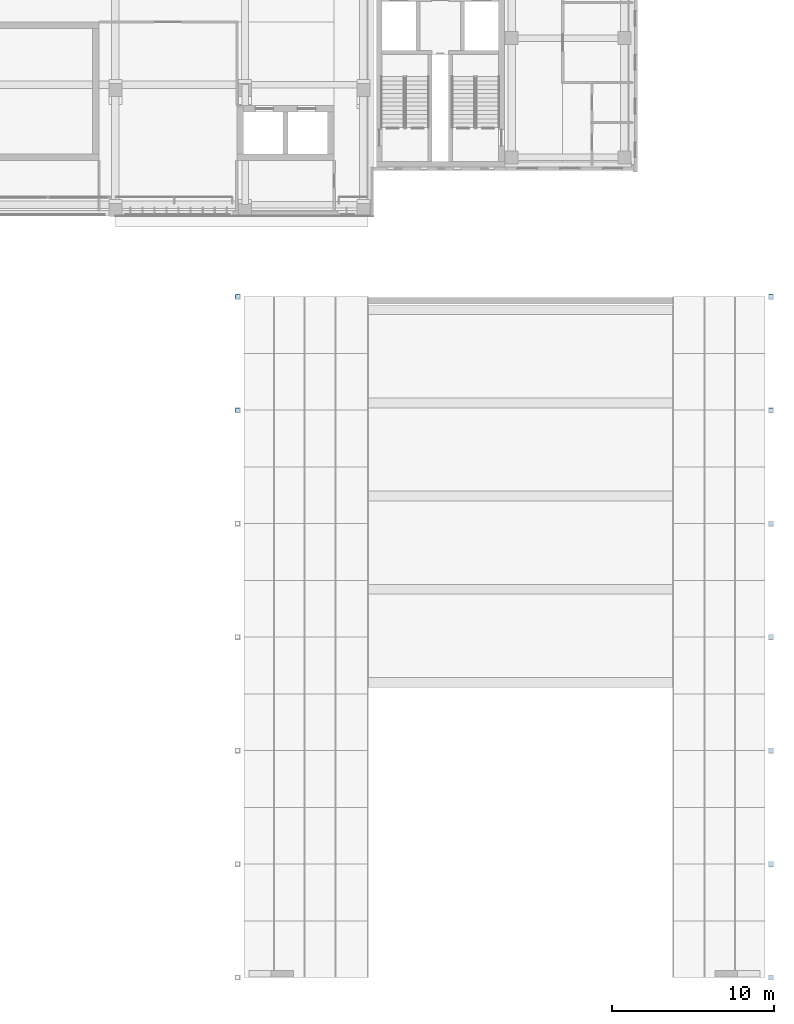
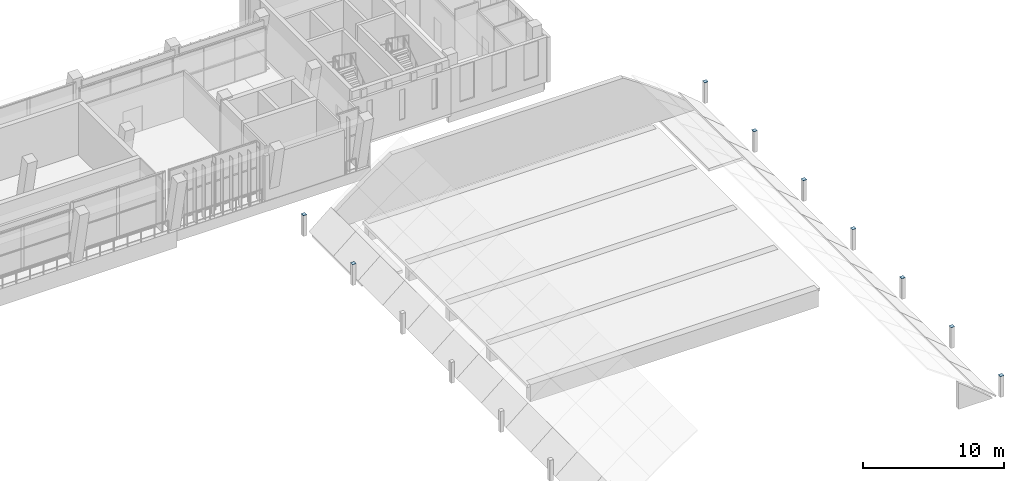
# One storey, part 56 of 89: 9 plates.
"""IFC4 building model written with IfcOpenShell, lengths in metres."""

import ifcopenshell
import ifcopenshell.guid

model = None  # the IFC model being written
_history = None  # IfcOwnerHistory: only IFC2X3 demands one
_inside = {}  # id of a spatial element -> (the spatial element, [elements in it])
_under = {}  # id of a project, library or spatial element -> (it, [spatial elements below it])
_declared = {}  # id of a project -> (the project, [libraries it declares])
_typed = {}  # id of a type object -> (the type object, [elements of that type])
_made_of = {}  # id of a material, layer set ... -> (it, [elements and type objects made of it])


def new_model(schema):
    """Start an empty IFC model of exactly this schema.

    Asked for "IFC4X3", IfcOpenShell would pick the latest addendum, in which some entities
    have other attributes; the version numbers below select the first issue.
    IFC2X3 requires an IfcOwnerHistory on every rooted entity: one is made here for all.
    """
    global model, _history
    if schema == "IFC4X3":
        model = ifcopenshell.file(schema_version=(4, 3, 0, 0))
    else:
        model = ifcopenshell.file(schema=schema)
    _inside.clear()
    _under.clear()
    _declared.clear()
    _typed.clear()
    _made_of.clear()
    _history = None
    if model.schema == "IFC2X3":
        org = make("IfcOrganization", Name="unknown")
        user = make(
            "IfcPersonAndOrganization",
            ThePerson=make("IfcPerson", FamilyName="unknown"),
            TheOrganization=org,
        )
        app = make(
            "IfcApplication",
            ApplicationDeveloper=org,
            Version="unknown",
            ApplicationFullName="unknown",
            ApplicationIdentifier="unknown",
        )
        _history = make(
            "IfcOwnerHistory",
            OwningUser=user,
            OwningApplication=app,
            ChangeAction="ADDED",
            CreationDate=0,
        )
    return model


def make(cls, **values):
    """One entity of the class cls with the attributes given. An attribute that is None is left unset."""
    return model.create_entity(
        cls, **{name: value for name, value in values.items() if value is not None}
    )


def rooted(cls, **values):
    """An entity with a GlobalId (a new one), such as an element, a storey or a relation."""
    return make(cls, GlobalId=ifcopenshell.guid.new(), OwnerHistory=_history, **values)


def si_unit(unit_type, name, prefix=None):
    """IfcSIUnit, for example si_unit("LENGTHUNIT", "METRE", prefix="MILLI")."""
    return make("IfcSIUnit", UnitType=unit_type, Prefix=prefix, Name=name)


def assignment(units):
    """IfcUnitAssignment: the units of a project."""
    return None if units is None else make("IfcUnitAssignment", Units=units)


def point(xyz):
    """IfcCartesianPoint."""
    return None if xyz is None else make("IfcCartesianPoint", Coordinates=xyz)


def direction(xyz):
    """IfcDirection."""
    return None if xyz is None else make("IfcDirection", DirectionRatios=xyz)


def frame(location, z_axis=None, x_axis=None):
    """IfcAxis2Placement3D, a coordinate frame: its origin and axes. An axis left out is left unset."""
    return make(
        "IfcAxis2Placement3D",
        Location=point(location),
        Axis=direction(z_axis),
        RefDirection=direction(x_axis),
    )


def frame_2d(location, x_axis=None):
    """IfcAxis2Placement2D, a coordinate frame in the plane: its origin and x axis."""
    return make(
        "IfcAxis2Placement2D", Location=point(location), RefDirection=direction(x_axis)
    )


def origin():
    """The frame at (0, 0, 0) with its axes left unset."""
    return frame((0.0, 0.0, 0.0))


def origin_2d():
    """The frame at (0, 0) in the plane with its x axis left unset."""
    return frame_2d((0.0, 0.0))


def place(relative_to, where):
    """IfcLocalPlacement: puts the frame where relative to a parent placement (None: the world)."""
    return make(
        "IfcLocalPlacement", PlacementRelTo=relative_to, RelativePlacement=where
    )


def context(
    kind, dimensions, precision=None, world=None, true_north=None, identifier=None
):
    """IfcGeometricRepresentationContext, for example the 3D "Model" context."""
    return make(
        "IfcGeometricRepresentationContext",
        ContextIdentifier=identifier,
        ContextType=kind,
        CoordinateSpaceDimension=dimensions,
        Precision=precision,
        WorldCoordinateSystem=world,
        TrueNorth=true_north,
    )


def subcontext(parent, identifier, kind, view, scale=None):
    """IfcGeometricRepresentationSubContext, for example "Body" below "Model"."""
    return make(
        "IfcGeometricRepresentationSubContext",
        ContextIdentifier=identifier,
        ContextType=kind,
        ParentContext=parent,
        TargetScale=scale,
        TargetView=view,
    )


def project(units=None, contexts=None):
    """IfcProject with its units and contexts."""
    return rooted(
        "IfcProject",
        Name="project",
        RepresentationContexts=contexts,
        UnitsInContext=assignment(units),
    )


def spatial(cls, under=None, at=None, **own):
    """A site, building, storey or space (cls), placed at a placement, below another one or the project."""
    s = rooted(cls, ObjectPlacement=at, **own)
    if under is not None:
        _under.setdefault(under.id(), (under, []))[1].append(s)
    return s


def profile(cls, at=None, kind="AREA", **sizes):
    """A parametric profile (cls). Its sizes go by their IFC names, for example OverallWidth=200.0."""
    return make(cls, ProfileType=kind, Position=at, **sizes)


def rectangle(**sizes):
    """IfcRectangleProfileDef."""
    return profile("IfcRectangleProfileDef", **sizes)


def extrude(swept, where, along, depth):
    """IfcExtrudedAreaSolid: the profile swept, set in the frame where, extruded along a direction by depth."""
    return make(
        "IfcExtrudedAreaSolid",
        SweptArea=swept,
        Position=where,
        ExtrudedDirection=direction(along),
        Depth=depth,
    )


def shape(context_of_items, identifier, shape_type, items):
    """IfcShapeRepresentation: the items that make up one representation, for example the "Body"."""
    return make(
        "IfcShapeRepresentation",
        ContextOfItems=context_of_items,
        RepresentationIdentifier=identifier,
        RepresentationType=shape_type,
        Items=items,
    )


def material(Name=None, Category=None):
    """IfcMaterial."""
    return make("IfcMaterial", Name=Name, Category=Category)


def layer(
    of_material, thickness, ventilated=None, Name=None, Category=None, Priority=None
):
    """IfcMaterialLayer: one layer of a wall or slab, of a material (None: an air gap)."""
    return make(
        "IfcMaterialLayer",
        Material=of_material,
        LayerThickness=thickness,
        IsVentilated=ventilated,
        Name=Name,
        Category=Category,
        Priority=Priority,
    )


def layer_set(layers, Name=None):
    """IfcMaterialLayerSet."""
    return make("IfcMaterialLayerSet", MaterialLayers=layers, LayerSetName=Name)


def made_of(thing, what):
    """Note that an element or type object is made of a material, layer set ...; save() writes the relation."""
    if what is not None:
        _made_of.setdefault(what.id(), (what, []))[1].append(thing)
    return thing


def type_object(cls, material=None, **own):
    """A type object (cls), such as IfcWallType, which elements share."""
    return made_of(rooted(cls, **own), material)


def element(
    cls,
    number,
    at=None,
    inside=None,
    cuts=None,
    type_object=None,
    material=None,
    context=None,
    identifier="Body",
    shape_type=None,
    held_by="IfcProductDefinitionShape",
    body=None,
    shapes=None,
    **own,
):
    """One element of the class cls, such as IfcWall. Its Tag is "e" and its number.

    at: its placement. inside: the storey or other place that contains it. cuts: it is an
    opening in that element (IfcRelVoidsElement). A single representation is given by context,
    identifier, shape_type and body (its items); several are given by shapes. held_by: the class
    of the entity that holds the representations. save() writes the other relations.
    """
    e = rooted(cls, Tag="e%d" % number, ObjectPlacement=at, **own)
    if body is not None:
        shapes = [shape(context, identifier, shape_type, body)]
    if shapes is not None:
        e.Representation = make(held_by, Representations=shapes)
    if inside is not None:
        _inside.setdefault(inside.id(), (inside, []))[1].append(e)
    if cuts is not None:
        rooted(
            "IfcRelVoidsElement", RelatingBuildingElement=cuts, RelatedOpeningElement=e
        )
    if type_object is not None:
        _typed.setdefault(type_object.id(), (type_object, []))[1].append(e)
    return made_of(e, material)


def aggregate(whole, parts):
    """IfcRelAggregates: a whole, such as a stair, and the parts it consists of."""
    return rooted("IfcRelAggregates", RelatingObject=whole, RelatedObjects=parts)


def save(model, path):
    """Write the relations noted so far, then the file.

    IfcRelAggregates (storeys below a building ...), IfcRelContainedInSpatialStructure (elements
    in a storey), IfcRelDefinesByType, IfcRelAssociatesMaterial and IfcRelDeclares: one each for
    every whole, place, type object, material and project.
    """
    for whole, parts in _under.values():
        aggregate(whole, parts)
    for where, things in _inside.values():
        rooted(
            "IfcRelContainedInSpatialStructure",
            RelatedElements=things,
            RelatingStructure=where,
        )
    for kind, things in _typed.values():
        rooted("IfcRelDefinesByType", RelatedObjects=things, RelatingType=kind)
    for what, things in _made_of.values():
        rooted("IfcRelAssociatesMaterial", RelatedObjects=things, RelatingMaterial=what)
    for by, libraries in _declared.values():
        rooted("IfcRelDeclares", RelatingContext=by, RelatedDefinitions=libraries)
    model.write(path)


model = new_model("IFC4")

# Units and contexts
model_context = context("Model", 3, precision=1e-05, world=origin(), true_north=direction((0.0, 1.0)))
body_context = subcontext(model_context, "Body", "Model", "MODEL_VIEW")
ifc_project = project(units=[si_unit("LENGTHUNIT", "METRE"), si_unit("AREAUNIT", "SQUARE_METRE"), si_unit("VOLUMEUNIT", "CUBIC_METRE"), si_unit("PLANEANGLEUNIT", "RADIAN"), si_unit("MASSUNIT", "GRAM", prefix="KILO")], contexts=[model_context])

# Site, building, storey
site_placement = place(None, origin())
site = spatial("IfcSite", under=ifc_project, at=site_placement, CompositionType="ELEMENT")
building_placement = place(site_placement, origin())
building = spatial("IfcBuilding", under=site, at=building_placement, Name="Lantern Court Media Centre", CompositionType="ELEMENT")
storey_placement = place(building_placement, frame((0.0, 0.0, 14.39990234375)))
storey = spatial("IfcBuildingStorey", under=building, at=storey_placement, Name="L03", CompositionType="ELEMENT", Elevation=14.39990234375)

# Plates
ifc_material = material(Name="Steel S355J2 (EN 10025-2)", Category="steel")
ifc_layer = layer(ifc_material, 0.02001953125)
ifc_layer_set = layer_set([ifc_layer], Name="Steel S355J2 (EN 10025-2)")
plate_type = type_object("IfcPlateType", Name="Steel end plate 20", PredefinedType="SHEET", material=ifc_layer_set)
for number, where, z_axis, x_axis, name in (
    (1, (71.5498046875, 33.0, 1.800048828125), (0.0, 0.0, 1.0), (1.0, 0.0, 0.0), "Studio Hall pinnacle cap plate west 6"),
    (2, (71.5498046875, 40.0, 1.800048828125), (0.0, 0.0, 1.0), (1.0, 0.0, 0.0), "Studio Hall pinnacle cap plate west 7"),
    (3, (104.4501953125, -2.0, 1.800048828125), (0.0, 0.0, 1.0), (1.0, 0.0, 0.0), "Studio Hall pinnacle cap plate east 1"),
    (4, (104.4501953125, 5.0, 1.800048828125), (0.0, 0.0, 1.0), (1.0, 0.0, 0.0), "Studio Hall pinnacle cap plate east 2"),
    (5, (104.4501953125, 12.0, 1.800048828125), (0.0, 0.0, 1.0), (1.0, 0.0, 0.0), "Studio Hall pinnacle cap plate east 3"),
    (6, (104.4501953125, 19.0, 1.800048828125), (0.0, 0.0, 1.0), (1.0, 0.0, 0.0), "Studio Hall pinnacle cap plate east 4"),
    (7, (104.4501953125, 26.0, 1.800048828125), (0.0, 0.0, 1.0), (1.0, 0.0, 0.0), "Studio Hall pinnacle cap plate east 5"),
    (8, (104.4501953125, 33.0, 1.800048828125), (0.0, 0.0, 1.0), (1.0, 0.0, 0.0), "Studio Hall pinnacle cap plate east 6"),
    (9, (104.4501953125, 40.0, 1.800048828125), (0.0, 0.0, 1.0), (1.0, 0.0, 0.0), "Studio Hall pinnacle cap plate east 7"),
):
    element("IfcPlate", number, at=place(storey_placement, frame(where, z_axis=z_axis, x_axis=x_axis)), inside=storey, type_object=plate_type, Name=name, PredefinedType="SHEET", context=body_context, shape_type="SweptSolid", body=[
        extrude(rectangle(XDim=0.300048828125, YDim=0.300048828125, at=origin_2d()), origin(), (0.0, 0.0, 1.0), 0.02001953125),
    ])

save(model, "model.ifc")
